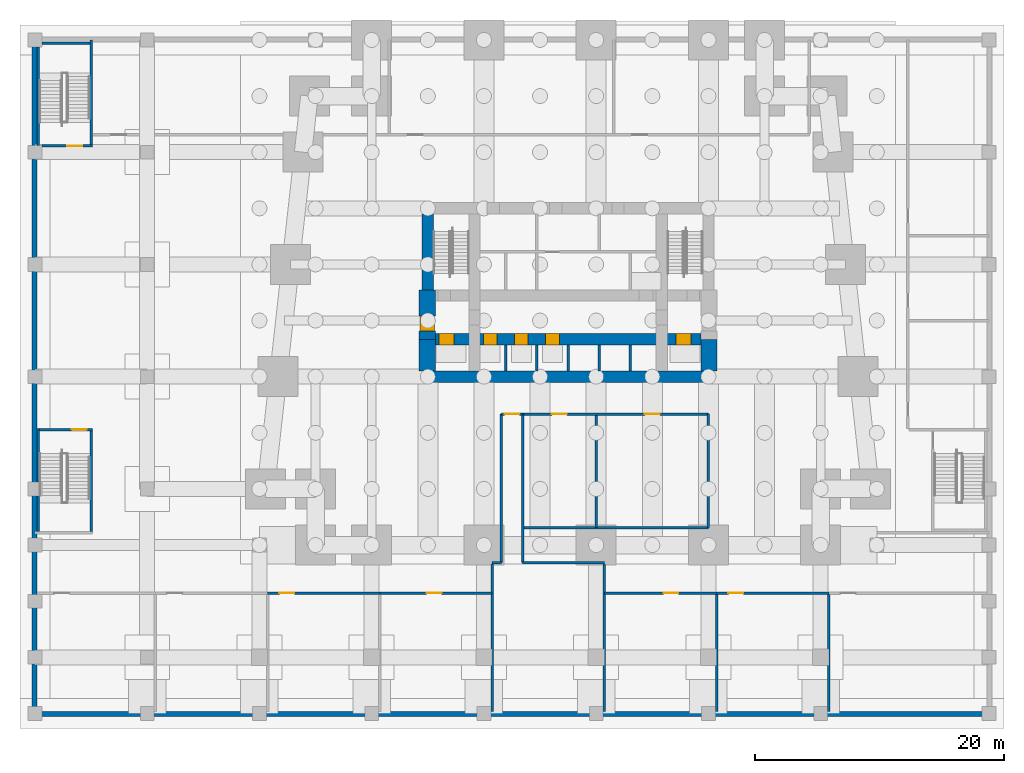
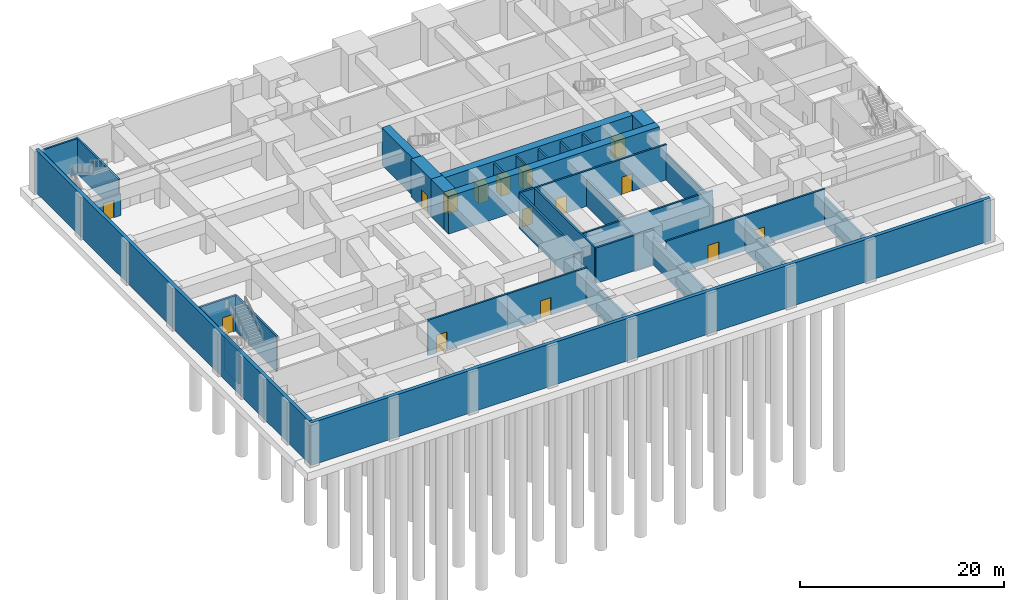
# One storey, part 3 of 9: 38 walls, 15 doors, 15 openings.
"""IFC4 building model written with IfcOpenShell, lengths in metres."""

from ifc_helpers import new_model, si_unit, direction, frame, frame_2d, origin, place, context, subcontext, project, spatial, rectangle, extrude, material, layer, layer_set, type_object, element, fill, save


model = new_model("IFC4")

# Units and contexts
model_context = context("Model", 3, precision=1e-05, world=origin(), true_north=direction((0.0, 1.0)))
body_context = subcontext(model_context, "Body", "Model", "MODEL_VIEW")
ifc_project = project(units=[si_unit("LENGTHUNIT", "METRE"), si_unit("AREAUNIT", "SQUARE_METRE"), si_unit("VOLUMEUNIT", "CUBIC_METRE"), si_unit("PLANEANGLEUNIT", "RADIAN"), si_unit("MASSUNIT", "GRAM", prefix="KILO")], contexts=[model_context])

# Site, building, storey
site_placement = place(None, origin())
site = spatial("IfcSite", under=ifc_project, at=site_placement, CompositionType="ELEMENT")
building_placement = place(site_placement, origin())
building = spatial("IfcBuilding", under=site, at=building_placement, Name="Kilele Tower Hotel", CompositionType="ELEMENT")
storey_placement = place(building_placement, frame((0.0, 0.0, -9.0)))
storey = spatial("IfcBuildingStorey", under=building, at=storey_placement, Name="B2", CompositionType="ELEMENT", Elevation=-9.0)

# Walls
ifc_material_1 = material(Name="Concrete C70/85", Category="concrete")
ifc_layer_1 = layer(ifc_material_1, 0.39990234375)
ifc_layer_set_1 = layer_set([ifc_layer_1], Name="Concrete C70/85")
wall_type_1 = type_object("IfcWallType", Name="Basement retaining wall 400", PredefinedType="SOLIDWALL", material=ifc_layer_set_1)
wall_1_placement = place(storey_placement, frame((-18.25, -13.550048828125, -0.60009765625), z_axis=(0.0, 0.0, 1.0), x_axis=(1.0, 0.0, 0.0)))
element("IfcWall", 1, at=wall_1_placement, inside=storey, type_object=wall_type_1, Name="Retaining wall B2 S", PredefinedType="SOLIDWALL", context=body_context, shape_type="SweptSolid", body=[
    extrude(rectangle(XDim=77.0, YDim=0.39990234375, at=frame_2d((38.5, 0.0))), origin(), (0.0, 0.0, 1.0), 5.10009765625),
])
wall_2_placement = place(storey_placement, frame((-18.050048828125, 40.35009765625, -0.60009765625), z_axis=(0.0, 0.0, 1.0), x_axis=(0.0, -1.0, 0.0)))
element("IfcWall", 2, at=wall_2_placement, inside=storey, type_object=wall_type_1, Name="Retaining wall B2 W", PredefinedType="SOLIDWALL", context=body_context, shape_type="SweptSolid", body=[
    extrude(rectangle(XDim=53.7001953125, YDim=0.39990234375, at=frame_2d((26.85009765625, 0.0))), origin(), (0.0, 0.0, 1.0), 5.10009765625),
])

# Wall, opening, door
ifc_material_2 = material(Name="Concrete C60/75", Category="concrete")
ifc_layer_2 = layer(ifc_material_2, 1.300048828125)
ifc_layer_set_2 = layer_set([ifc_layer_2], Name="Concrete C60/75")
wall_type_2 = type_object("IfcWallType", Name="Core wall 1300 C60/75", PredefinedType="SHEAR", material=ifc_layer_set_2)
wall_3_placement = place(storey_placement, frame((13.449951171875, 20.449951171875, 0.0), z_axis=(0.0, 0.0, 1.0), x_axis=(0.0, -1.0, 0.0)))
wall_3 = element("IfcWall", 3, at=wall_3_placement, inside=storey, type_object=wall_type_2, Name="Core wall W2 B2", PredefinedType="SHEAR", context=body_context, shape_type="SweptSolid", body=[
    extrude(rectangle(XDim=3.949951171875, YDim=1.300048828125, at=frame_2d((1.97509765625, 0.0))), origin(), (0.0, 0.0, 1.0), 4.5),
])
opening_1_placement = place(wall_3_placement, frame((2.10009765625, 0.0, 0.0)))
opening_1 = element("IfcOpeningElement", 4, at=opening_1_placement, cuts=wall_3, Name="Opening D4", PredefinedType="OPENING", context=body_context, shape_type="SweptSolid", body=[
    extrude(rectangle(XDim=1.199951171875, YDim=2.10009765625, at=frame_2d((0.60009765625, 1.050048828125))), frame((0.0, 0.659912109375, 0.0), z_axis=(0.0, -1.0, 0.0), x_axis=(1.0, 0.0, 0.0)), (0.0, 0.0, 1.0), 1.320068359375),
])
ifc_material_3 = material(Name="Timber door leaf in hardwood frame", Category="wood")
door_type_1 = type_object("IfcDoorType", Name="Firefighting lobby door 1200", OperationType="SINGLE_SWING_LEFT", PredefinedType="DOOR", material=ifc_material_3)
door_1_placement = place(opening_1_placement, origin())
door_1 = element("IfcDoor", 5, at=door_1_placement, inside=storey, type_object=door_type_1, Name="Lobby door B2", OperationType="SINGLE_SWING_RIGHT", OverallHeight=2.10009765625, OverallWidth=1.199951171875, PredefinedType="DOOR", context=body_context, shape_type="SweptSolid", body=[
    extrude(rectangle(XDim=1.199951171875, YDim=2.10009765625, at=frame_2d((0.60009765625, 1.050048828125))), frame((0.0, 0.574951171875, 0.0), z_axis=(0.0, -1.0, 0.0), x_axis=(1.0, 0.0, 0.0)), (0.0, 0.0, 1.0), 1.14990234375),
])
fill(opening_1, door_1)

# Walls
for number, where, z_axis, x_axis, name in (
    (6, (13.449951171875, 16.5, 0.0), (0.0, 0.0, 1.0), (0.0, -1.0, 0.0), "Core wall W3 B2"),
    (7, (36.050048828125, 13.949951171875, 0.0), (0.0, 0.0, 1.0), (0.0, 1.0, 0.0), "Core wall E1 B2"),
):
    element("IfcWall", number, at=place(storey_placement, frame(where, z_axis=z_axis, x_axis=x_axis)), inside=storey, type_object=wall_type_2, Name=name, PredefinedType="SHEAR", context=body_context, shape_type="SweptSolid", body=[
        extrude(rectangle(XDim=2.550048828125, YDim=1.300048828125, at=frame_2d((1.27490234375, 0.0))), origin(), (0.0, 0.0, 1.0), 4.5),
    ])
ifc_material_4 = material(Name="Concrete C60/75", Category="concrete")
ifc_layer_3 = layer(ifc_material_4, 0.89990234375)
ifc_layer_set_3 = layer_set([ifc_layer_3], Name="Concrete C60/75")
wall_type_3 = type_object("IfcWallType", Name="Core wall 900 C60/75", PredefinedType="SHEAR", material=ifc_layer_set_3)
wall_4_placement = place(storey_placement, frame((12.800048828125, 13.5, 0.0), z_axis=(0.0, 0.0, 1.0), x_axis=(1.0, 0.0, 0.0)))
element("IfcWall", 8, at=wall_4_placement, inside=storey, type_object=wall_type_3, Name="Core wall S B2", PredefinedType="SHEAR", context=body_context, shape_type="SweptSolid", body=[
    extrude(rectangle(XDim=23.89990234375, YDim=0.89990234375, at=frame_2d((11.949951171875, 0.0))), origin(), (0.0, 0.0, 1.0), 4.5),
])

# Wall, openings, doors
wall_5_placement = place(storey_placement, frame((14.10009765625, 16.5, 0.0), z_axis=(0.0, 0.0, 1.0), x_axis=(1.0, 0.0, 0.0)))
wall_5 = element("IfcWall", 9, at=wall_5_placement, inside=storey, type_object=wall_type_3, Name="Core wall LS B2", PredefinedType="SHEAR", context=body_context, shape_type="SweptSolid", body=[
    extrude(rectangle(XDim=21.2998046875, YDim=0.89990234375, at=frame_2d((10.64990234375, 0.0))), origin(), (0.0, 0.0, 1.0), 4.5),
])
opening_2_placement = place(wall_5_placement, frame((3.85009765625, 0.0, 0.0)))
opening_2 = element("IfcOpeningElement", 10, at=opening_2_placement, cuts=wall_5, Name="Opening LD1", PredefinedType="OPENING", context=body_context, shape_type="SweptSolid", body=[
    extrude(rectangle(XDim=1.10009765625, YDim=2.10009765625, at=frame_2d((0.550048828125, 1.050048828125))), frame((0.0, 0.4599609375, 0.0), z_axis=(0.0, -1.0, 0.0), x_axis=(1.0, 0.0, 0.0)), (0.0, 0.0, 1.0), 0.919921875),
])
opening_3_placement = place(wall_5_placement, frame((6.35009765625, 0.0, 0.0)))
opening_3 = element("IfcOpeningElement", 11, at=opening_3_placement, cuts=wall_5, Name="Opening LD1", PredefinedType="OPENING", context=body_context, shape_type="SweptSolid", body=[
    extrude(rectangle(XDim=1.10009765625, YDim=2.10009765625, at=frame_2d((0.550048828125, 1.050048828125))), frame((0.0, 0.4599609375, 0.0), z_axis=(0.0, -1.0, 0.0), x_axis=(1.0, 0.0, 0.0)), (0.0, 0.0, 1.0), 0.919921875),
])
opening_4_placement = place(wall_5_placement, frame((8.85009765625, 0.0, 0.0)))
opening_4 = element("IfcOpeningElement", 12, at=opening_4_placement, cuts=wall_5, Name="Opening LD1", PredefinedType="OPENING", context=body_context, shape_type="SweptSolid", body=[
    extrude(rectangle(XDim=1.10009765625, YDim=2.10009765625, at=frame_2d((0.550048828125, 1.050048828125))), frame((0.0, 0.4599609375, 0.0), z_axis=(0.0, -1.0, 0.0), x_axis=(1.0, 0.0, 0.0)), (0.0, 0.0, 1.0), 0.919921875),
])
opening_5_placement = place(wall_5_placement, frame((0.300048828125, 0.0, 0.0)))
opening_5 = element("IfcOpeningElement", 13, at=opening_5_placement, cuts=wall_5, Name="Opening LD2", PredefinedType="OPENING", context=body_context, shape_type="SweptSolid", body=[
    extrude(rectangle(XDim=1.199951171875, YDim=2.10009765625, at=frame_2d((0.60009765625, 1.050048828125))), frame((0.0, 0.4599609375, 0.0), z_axis=(0.0, -1.0, 0.0), x_axis=(1.0, 0.0, 0.0)), (0.0, 0.0, 1.0), 0.919921875),
])
opening_6_placement = place(wall_5_placement, frame((19.300048828125, 0.0, 0.0)))
opening_6 = element("IfcOpeningElement", 14, at=opening_6_placement, cuts=wall_5, Name="Opening LD2", PredefinedType="OPENING", context=body_context, shape_type="SweptSolid", body=[
    extrude(rectangle(XDim=1.199951171875, YDim=2.10009765625, at=frame_2d((0.60009765625, 1.050048828125))), frame((0.0, 0.4599609375, 0.0), z_axis=(0.0, -1.0, 0.0), x_axis=(1.0, 0.0, 0.0)), (0.0, 0.0, 1.0), 0.919921875),
])
ifc_material_5 = material(Name="Steel lift landing door", Category="steel")
door_type_2 = type_object("IfcDoorType", Name="Firefighting lift landing door 1200", OperationType="SLIDING_TO_LEFT", PredefinedType="DOOR", material=ifc_material_5)
door_2_placement = place(opening_5_placement, origin())
door_2 = element("IfcDoor", 15, at=door_2_placement, inside=storey, type_object=door_type_2, Name="Landing door FFW B2", OperationType="SLIDING_TO_LEFT", OverallHeight=2.10009765625, OverallWidth=1.199951171875, PredefinedType="DOOR", context=body_context, shape_type="SweptSolid", body=[
    extrude(rectangle(XDim=1.199951171875, YDim=2.10009765625, at=frame_2d((0.60009765625, 1.050048828125))), frame((0.0, 0.44970703125, 0.0), z_axis=(0.0, -1.0, 0.0), x_axis=(1.0, 0.0, 0.0)), (0.0, 0.0, 1.0), 0.8994140625),
])
fill(opening_5, door_2)
door_3_placement = place(opening_6_placement, origin())
door_3 = element("IfcDoor", 16, at=door_3_placement, inside=storey, type_object=door_type_2, Name="Landing door FFE B2", OperationType="SLIDING_TO_LEFT", OverallHeight=2.10009765625, OverallWidth=1.199951171875, PredefinedType="DOOR", context=body_context, shape_type="SweptSolid", body=[
    extrude(rectangle(XDim=1.199951171875, YDim=2.10009765625, at=frame_2d((0.60009765625, 1.050048828125))), frame((0.0, 0.44970703125, 0.0), z_axis=(0.0, -1.0, 0.0), x_axis=(1.0, 0.0, 0.0)), (0.0, 0.0, 1.0), 0.8994140625),
])
fill(opening_6, door_3)
ifc_material_6 = material(Name="Steel lift landing door", Category="steel")
door_type_3 = type_object("IfcDoorType", Name="Lift landing door 1100", OperationType="SLIDING_TO_LEFT", PredefinedType="DOOR", material=ifc_material_6)
door_4_placement = place(opening_2_placement, origin())
door_4 = element("IfcDoor", 17, at=door_4_placement, inside=storey, type_object=door_type_3, Name="Landing door L1 B2", OperationType="SLIDING_TO_LEFT", OverallHeight=2.10009765625, OverallWidth=1.10009765625, PredefinedType="DOOR", context=body_context, shape_type="SweptSolid", body=[
    extrude(rectangle(XDim=1.10009765625, YDim=2.10009765625, at=frame_2d((0.550048828125, 1.050048828125))), frame((0.0, 0.44970703125, 0.0), z_axis=(0.0, -1.0, 0.0), x_axis=(1.0, 0.0, 0.0)), (0.0, 0.0, 1.0), 0.8994140625),
])
fill(opening_2, door_4)
door_5_placement = place(opening_3_placement, origin())
door_5 = element("IfcDoor", 18, at=door_5_placement, inside=storey, type_object=door_type_3, Name="Landing door L2 B2", OperationType="SLIDING_TO_LEFT", OverallHeight=2.10009765625, OverallWidth=1.10009765625, PredefinedType="DOOR", context=body_context, shape_type="SweptSolid", body=[
    extrude(rectangle(XDim=1.10009765625, YDim=2.10009765625, at=frame_2d((0.550048828125, 1.050048828125))), frame((0.0, 0.44970703125, 0.0), z_axis=(0.0, -1.0, 0.0), x_axis=(1.0, 0.0, 0.0)), (0.0, 0.0, 1.0), 0.8994140625),
])
fill(opening_3, door_5)
door_6_placement = place(opening_4_placement, origin())
door_6 = element("IfcDoor", 19, at=door_6_placement, inside=storey, type_object=door_type_3, Name="Landing door L3 B2", OperationType="SLIDING_TO_LEFT", OverallHeight=2.10009765625, OverallWidth=1.10009765625, PredefinedType="DOOR", context=body_context, shape_type="SweptSolid", body=[
    extrude(rectangle(XDim=1.10009765625, YDim=2.10009765625, at=frame_2d((0.550048828125, 1.050048828125))), frame((0.0, 0.44970703125, 0.0), z_axis=(0.0, -1.0, 0.0), x_axis=(1.0, 0.0, 0.0)), (0.0, 0.0, 1.0), 0.8994140625),
])
fill(opening_4, door_6)

# Walls
wall_6_placement = place(storey_placement, frame((13.5, 26.550048828125, 0.0), z_axis=(0.0, 0.0, 1.0), x_axis=(0.0, -1.0, 0.0)))
element("IfcWall", 20, at=wall_6_placement, inside=storey, type_object=wall_type_3, Name="Core wall W1 B2", PredefinedType="SHEAR", context=body_context, shape_type="SweptSolid", body=[
    extrude(rectangle(XDim=6.10009765625, YDim=0.89990234375, at=frame_2d((3.050048828125, 0.0))), origin(), (0.0, 0.0, 1.0), 4.5),
])
ifc_material_7 = material(Name="Blockwork, plastered both sides", Category="masonry")
ifc_layer_4 = layer(ifc_material_7, 0.199951171875)
ifc_layer_set_4 = layer_set([ifc_layer_4], Name="Blockwork, plastered both sides")
wall_type_4 = type_object("IfcWallType", Name="Partition wall 200", PredefinedType="PARTITIONING", material=ifc_layer_set_4)
for number, where, z_axis, x_axis, name in (
    (21, (36.64990234375, -13.35009765625, 0.0), (0.0, 0.0, 1.0), (0.0, 1.0, 0.0), "Partition wall 200 B2"),
    (22, (45.64990234375, -13.35009765625, 0.0), (0.0, 0.0, 1.0), (0.0, 1.0, 0.0), "Partition wall 200 B2"),
):
    element("IfcWall", number, at=place(storey_placement, frame(where, z_axis=z_axis, x_axis=x_axis)), inside=storey, type_object=wall_type_4, Name=name, PredefinedType="PARTITIONING", context=body_context, shape_type="SweptSolid", body=[
        extrude(rectangle(XDim=9.400146484375, YDim=0.199951171875, at=frame_2d((4.7001953125, 0.0))), origin(), (0.0, 0.0, 1.0), 3.300048828125),
    ])
for number, where, z_axis, x_axis, name in (
    (23, (18.64990234375, -13.35009765625, 0.0), (0.0, 0.0, 1.0), (0.0, 1.0, 0.0), "Partition wall 200 B2"),
    (24, (27.64990234375, -13.35009765625, 0.0), (0.0, 0.0, 1.0), (0.0, 1.0, 0.0), "Partition wall 200 B2"),
):
    element("IfcWall", number, at=place(storey_placement, frame(where, z_axis=z_axis, x_axis=x_axis)), inside=storey, type_object=wall_type_4, Name=name, PredefinedType="PARTITIONING", context=body_context, shape_type="SweptSolid", body=[
        extrude(rectangle(XDim=11.85009765625, YDim=0.199951171875, at=frame_2d((5.925048828125, 0.0))), origin(), (0.0, 0.0, 1.0), 3.300048828125),
    ])

# Wall, opening, door
wall_7_placement = place(storey_placement, frame((0.64990234375, -3.85009765625, 0.0), z_axis=(0.0, 0.0, 1.0), x_axis=(1.0, 0.0, 0.0)))
wall_7 = element("IfcWall", 25, at=wall_7_placement, inside=storey, type_object=wall_type_4, Name="Partition wall 200 B2", PredefinedType="PARTITIONING", context=body_context, shape_type="SweptSolid", body=[
    extrude(rectangle(XDim=9.0, YDim=0.199951171875, at=frame_2d((4.5, 0.0))), origin(), (0.0, 0.0, 1.0), 4.25),
])
opening_7_placement = place(wall_7_placement, frame((2.14990234375, 0.0, 0.0), z_axis=(0.0, 0.0, 1.0), x_axis=(-1.0, 0.0, 0.0)))
opening_7 = element("IfcOpeningElement", 26, at=opening_7_placement, cuts=wall_7, Name="Opening D7A", PredefinedType="OPENING", context=body_context, shape_type="SweptSolid", body=[
    extrude(rectangle(XDim=1.199951171875, YDim=2.10009765625, at=frame_2d((0.60009765625, 1.050048828125))), frame((0.0, 0.10986328125, 0.0), z_axis=(0.0, -1.0, 0.0), x_axis=(1.0, 0.0, 0.0)), (0.0, 0.0, 1.0), 0.219970703125),
])
ifc_material_8 = material(Name="Timber door leaf in hardwood frame", Category="wood")
door_type_4 = type_object("IfcDoorType", Name="Plant room door 1200", OperationType="SINGLE_SWING_LEFT", PredefinedType="DOOR", material=ifc_material_8)
door_7_placement = place(opening_7_placement, origin())
door_7 = element("IfcDoor", 27, at=door_7_placement, inside=storey, type_object=door_type_4, Name="Door Chilled water pump room", OperationType="SINGLE_SWING_RIGHT", OverallHeight=2.10009765625, OverallWidth=1.199951171875, PredefinedType="DOOR", context=body_context, shape_type="SweptSolid", body=[
    extrude(rectangle(XDim=1.199951171875, YDim=2.10009765625, at=frame_2d((0.60009765625, 1.050048828125))), frame((0.0, 0.02490234375, 0.0), z_axis=(0.0, -1.0, 0.0), x_axis=(1.0, 0.0, 0.0)), (0.0, 0.0, 1.0), 0.050048828125),
])
fill(opening_7, door_7)

wall_8_placement = place(storey_placement, frame((9.64990234375, -3.85009765625, 0.0), z_axis=(0.0, 0.0, 1.0), x_axis=(1.0, 0.0, 0.0)))
wall_8 = element("IfcWall", 28, at=wall_8_placement, inside=storey, type_object=wall_type_4, Name="Partition wall 200 B2", PredefinedType="PARTITIONING", context=body_context, shape_type="SweptSolid", body=[
    extrude(rectangle(XDim=9.0, YDim=0.199951171875, at=frame_2d((4.5, 0.0))), origin(), (0.0, 0.0, 1.0), 4.25),
])
opening_8_placement = place(wall_8_placement, frame((3.75, 0.0, 0.0)))
opening_8 = element("IfcOpeningElement", 29, at=opening_8_placement, cuts=wall_8, Name="Opening D7A", PredefinedType="OPENING", context=body_context, shape_type="SweptSolid", body=[
    extrude(rectangle(XDim=1.199951171875, YDim=2.10009765625, at=frame_2d((0.60009765625, 1.050048828125))), frame((0.0, 0.10986328125, 0.0), z_axis=(0.0, -1.0, 0.0), x_axis=(1.0, 0.0, 0.0)), (0.0, 0.0, 1.0), 0.219970703125),
])
door_8_placement = place(opening_8_placement, origin())
door_8 = element("IfcDoor", 30, at=door_8_placement, inside=storey, type_object=door_type_4, Name="Door Condenser water pump room", OperationType="SINGLE_SWING_LEFT", OverallHeight=2.10009765625, OverallWidth=1.199951171875, PredefinedType="DOOR", context=body_context, shape_type="SweptSolid", body=[
    extrude(rectangle(XDim=1.199951171875, YDim=2.10009765625, at=frame_2d((0.60009765625, 1.050048828125))), frame((0.0, 0.02490234375, 0.0), z_axis=(0.0, -1.0, 0.0), x_axis=(1.0, 0.0, 0.0)), (0.0, 0.0, 1.0), 0.050048828125),
])
fill(opening_8, door_8)

# Walls
wall_9_placement = place(storey_placement, frame((18.64990234375, -1.39990234375, 0.0), z_axis=(0.0, 0.0, 1.0), x_axis=(1.0, 0.0, 0.0)))
element("IfcWall", 31, at=wall_9_placement, inside=storey, type_object=wall_type_4, Name="Partition wall 200 B2", PredefinedType="PARTITIONING", context=body_context, shape_type="SweptSolid", body=[
    extrude(rectangle(XDim=0.75, YDim=0.199951171875, at=frame_2d((0.375, 0.0))), origin(), (0.0, 0.0, 1.0), 4.25),
])
wall_10_placement = place(storey_placement, frame((21.10009765625, -1.39990234375, 0.0), z_axis=(0.0, 0.0, 1.0), x_axis=(1.0, 0.0, 0.0)))
element("IfcWall", 32, at=wall_10_placement, inside=storey, type_object=wall_type_4, Name="Partition wall 200 B2", PredefinedType="PARTITIONING", context=body_context, shape_type="SweptSolid", body=[
    extrude(rectangle(XDim=6.5498046875, YDim=0.199951171875, at=frame_2d((3.27490234375, 0.0))), origin(), (0.0, 0.0, 1.0), 4.25),
])

# Wall, opening, door
wall_11_placement = place(storey_placement, frame((27.64990234375, -3.85009765625, 0.0), z_axis=(0.0, 0.0, 1.0), x_axis=(1.0, 0.0, 0.0)))
wall_11 = element("IfcWall", 33, at=wall_11_placement, inside=storey, type_object=wall_type_4, Name="Partition wall 200 B2", PredefinedType="PARTITIONING", context=body_context, shape_type="SweptSolid", body=[
    extrude(rectangle(XDim=9.0, YDim=0.199951171875, at=frame_2d((4.5, 0.0))), origin(), (0.0, 0.0, 1.0), 4.25),
])
opening_9_placement = place(wall_11_placement, frame((4.75, 0.0, 0.0)))
opening_9 = element("IfcOpeningElement", 34, at=opening_9_placement, cuts=wall_11, Name="Opening D7A", PredefinedType="OPENING", context=body_context, shape_type="SweptSolid", body=[
    extrude(rectangle(XDim=1.199951171875, YDim=2.10009765625, at=frame_2d((0.60009765625, 1.050048828125))), frame((0.0, 0.10986328125, 0.0), z_axis=(0.0, -1.0, 0.0), x_axis=(1.0, 0.0, 0.0)), (0.0, 0.0, 1.0), 0.219970703125),
])
door_9_placement = place(opening_9_placement, origin())
door_9 = element("IfcDoor", 35, at=door_9_placement, inside=storey, type_object=door_type_4, Name="Door Domestic water treatment room", OperationType="SINGLE_SWING_RIGHT", OverallHeight=2.10009765625, OverallWidth=1.199951171875, PredefinedType="DOOR", context=body_context, shape_type="SweptSolid", body=[
    extrude(rectangle(XDim=1.199951171875, YDim=2.10009765625, at=frame_2d((0.60009765625, 1.050048828125))), frame((0.0, 0.02490234375, 0.0), z_axis=(0.0, -1.0, 0.0), x_axis=(1.0, 0.0, 0.0)), (0.0, 0.0, 1.0), 0.050048828125),
])
fill(opening_9, door_9)

wall_12_placement = place(storey_placement, frame((36.64990234375, -3.85009765625, 0.0), z_axis=(0.0, 0.0, 1.0), x_axis=(1.0, 0.0, 0.0)))
wall_12 = element("IfcWall", 36, at=wall_12_placement, inside=storey, type_object=wall_type_4, Name="Partition wall 200 B2", PredefinedType="PARTITIONING", context=body_context, shape_type="SweptSolid", body=[
    extrude(rectangle(XDim=9.0, YDim=0.199951171875, at=frame_2d((4.5, 0.0))), origin(), (0.0, 0.0, 1.0), 4.25),
])
opening_10_placement = place(wall_12_placement, frame((2.14990234375, 0.0, 0.0), z_axis=(0.0, 0.0, 1.0), x_axis=(-1.0, 0.0, 0.0)))
opening_10 = element("IfcOpeningElement", 37, at=opening_10_placement, cuts=wall_12, Name="Opening D7A", PredefinedType="OPENING", context=body_context, shape_type="SweptSolid", body=[
    extrude(rectangle(XDim=1.199951171875, YDim=2.10009765625, at=frame_2d((0.60009765625, 1.050048828125))), frame((0.0, 0.10986328125, 0.0), z_axis=(0.0, -1.0, 0.0), x_axis=(1.0, 0.0, 0.0)), (0.0, 0.0, 1.0), 0.219970703125),
])
door_10_placement = place(opening_10_placement, origin())
door_10 = element("IfcDoor", 38, at=door_10_placement, inside=storey, type_object=door_type_4, Name="Door Hot water calorifier room", OperationType="SINGLE_SWING_RIGHT", OverallHeight=2.10009765625, OverallWidth=1.199951171875, PredefinedType="DOOR", context=body_context, shape_type="SweptSolid", body=[
    extrude(rectangle(XDim=1.199951171875, YDim=2.10009765625, at=frame_2d((0.60009765625, 1.050048828125))), frame((0.0, 0.02490234375, 0.0), z_axis=(0.0, -1.0, 0.0), x_axis=(1.0, 0.0, 0.0)), (0.0, 0.0, 1.0), 0.050048828125),
])
fill(opening_10, door_10)

# Walls
for number, where, z_axis, x_axis, name in (
    (39, (19.39990234375, -1.39990234375, 0.0), (0.0, 0.0, 1.0), (0.0, 1.0, 0.0), "Partition wall 200 B2"),
    (40, (21.10009765625, -1.39990234375, 0.0), (0.0, 0.0, 1.0), (0.0, 1.0, 0.0), "Partition wall 200 B2"),
):
    element("IfcWall", number, at=place(storey_placement, frame(where, z_axis=z_axis, x_axis=x_axis)), inside=storey, type_object=wall_type_4, Name=name, PredefinedType="PARTITIONING", context=body_context, shape_type="SweptSolid", body=[
        extrude(rectangle(XDim=11.89990234375, YDim=0.199951171875, at=frame_2d((5.949951171875, 0.0))), origin(), (0.0, 0.0, 1.0), 4.25),
    ])
wall_13_placement = place(storey_placement, frame((27.0, 1.39990234375, 0.0), z_axis=(0.0, 0.0, 1.0), x_axis=(0.0, 1.0, 0.0)))
element("IfcWall", 41, at=wall_13_placement, inside=storey, type_object=wall_type_4, Name="Partition wall 200 B2", PredefinedType="PARTITIONING", context=body_context, shape_type="SweptSolid", body=[
    extrude(rectangle(XDim=9.0, YDim=0.199951171875, at=frame_2d((4.5, 0.0))), origin(), (0.0, 0.0, 1.0), 3.199951171875),
])
wall_14_placement = place(storey_placement, frame((36.0, 1.39990234375, 0.0), z_axis=(0.0, 0.0, 1.0), x_axis=(0.0, 1.0, 0.0)))
element("IfcWall", 42, at=wall_14_placement, inside=storey, type_object=wall_type_4, Name="Partition wall 200 B2", PredefinedType="PARTITIONING", context=body_context, shape_type="SweptSolid", body=[
    extrude(rectangle(XDim=9.10009765625, YDim=0.199951171875, at=frame_2d((4.550048828125, 0.0))), origin(), (0.0, 0.0, 1.0), 3.199951171875),
])
wall_15_placement = place(storey_placement, frame((21.10009765625, 1.39990234375, 0.0), z_axis=(0.0, 0.0, 1.0), x_axis=(1.0, 0.0, 0.0)))
element("IfcWall", 43, at=wall_15_placement, inside=storey, type_object=wall_type_4, Name="Partition wall 200 B2", PredefinedType="PARTITIONING", context=body_context, shape_type="SweptSolid", body=[
    extrude(rectangle(XDim=14.89990234375, YDim=0.199951171875, at=frame_2d((7.449951171875, 0.0))), origin(), (0.0, 0.0, 1.0), 4.25),
])

# Wall, openings, doors
wall_16_placement = place(storey_placement, frame((21.10009765625, 10.5, 0.0), z_axis=(0.0, 0.0, 1.0), x_axis=(1.0, 0.0, 0.0)))
wall_16 = element("IfcWall", 44, at=wall_16_placement, inside=storey, type_object=wall_type_4, Name="Partition wall 200 B2", PredefinedType="PARTITIONING", context=body_context, shape_type="SweptSolid", body=[
    extrude(rectangle(XDim=14.89990234375, YDim=0.199951171875, at=frame_2d((7.449951171875, 0.0))), origin(), (0.0, 0.0, 1.0), 4.25),
])
opening_11_placement = place(wall_16_placement, frame((2.35009765625, 0.0, 0.0)))
opening_11 = element("IfcOpeningElement", 45, at=opening_11_placement, cuts=wall_16, Name="Opening D7A", PredefinedType="OPENING", context=body_context, shape_type="SweptSolid", body=[
    extrude(rectangle(XDim=1.199951171875, YDim=2.10009765625, at=frame_2d((0.60009765625, 1.050048828125))), frame((0.0, 0.10986328125, 0.0), z_axis=(0.0, -1.0, 0.0), x_axis=(1.0, 0.0, 0.0)), (0.0, 0.0, 1.0), 0.219970703125),
])
opening_12_placement = place(wall_16_placement, frame((9.800048828125, 0.0, 0.0)))
opening_12 = element("IfcOpeningElement", 46, at=opening_12_placement, cuts=wall_16, Name="Opening D7A", PredefinedType="OPENING", context=body_context, shape_type="SweptSolid", body=[
    extrude(rectangle(XDim=1.199951171875, YDim=2.10009765625, at=frame_2d((0.60009765625, 1.050048828125))), frame((0.0, 0.10986328125, 0.0), z_axis=(0.0, -1.0, 0.0), x_axis=(1.0, 0.0, 0.0)), (0.0, 0.0, 1.0), 0.219970703125),
])
door_11_placement = place(opening_11_placement, origin())
door_11 = element("IfcDoor", 47, at=door_11_placement, inside=storey, type_object=door_type_4, Name="Door Heat recovery plant room", OperationType="SINGLE_SWING_LEFT", OverallHeight=2.10009765625, OverallWidth=1.199951171875, PredefinedType="DOOR", context=body_context, shape_type="SweptSolid", body=[
    extrude(rectangle(XDim=1.199951171875, YDim=2.10009765625, at=frame_2d((0.60009765625, 1.050048828125))), frame((0.0, 0.02490234375, 0.0), z_axis=(0.0, -1.0, 0.0), x_axis=(1.0, 0.0, 0.0)), (0.0, 0.0, 1.0), 0.050048828125),
])
fill(opening_11, door_11)
door_12_placement = place(opening_12_placement, origin())
door_12 = element("IfcDoor", 48, at=door_12_placement, inside=storey, type_object=door_type_4, Name="Door Domestic water booster pump room", OperationType="SINGLE_SWING_RIGHT", OverallHeight=2.10009765625, OverallWidth=1.199951171875, PredefinedType="DOOR", context=body_context, shape_type="SweptSolid", body=[
    extrude(rectangle(XDim=1.199951171875, YDim=2.10009765625, at=frame_2d((0.60009765625, 1.050048828125))), frame((0.0, 0.02490234375, 0.0), z_axis=(0.0, -1.0, 0.0), x_axis=(1.0, 0.0, 0.0)), (0.0, 0.0, 1.0), 0.050048828125),
])
fill(opening_12, door_12)

# Wall, opening, door
wall_17_placement = place(storey_placement, frame((19.39990234375, 10.5, 0.0), z_axis=(0.0, 0.0, 1.0), x_axis=(1.0, 0.0, 0.0)))
wall_17 = element("IfcWall", 49, at=wall_17_placement, inside=storey, type_object=wall_type_4, Name="Partition wall 200 B2", PredefinedType="PARTITIONING", context=body_context, shape_type="SweptSolid", body=[
    extrude(rectangle(XDim=1.7001953125, YDim=0.199951171875, at=frame_2d((0.85009765625, 0.0))), origin(), (0.0, 0.0, 1.0), 4.25),
])
opening_13_placement = place(wall_17_placement, frame((1.449951171875, 0.0, 0.0), z_axis=(0.0, 0.0, 1.0), x_axis=(-1.0, 0.0, 0.0)))
opening_13 = element("IfcOpeningElement", 50, at=opening_13_placement, cuts=wall_17, Name="Opening D7A", PredefinedType="OPENING", context=body_context, shape_type="SweptSolid", body=[
    extrude(rectangle(XDim=1.199951171875, YDim=2.10009765625, at=frame_2d((0.60009765625, 1.050048828125))), frame((0.0, 0.10986328125, 0.0), z_axis=(0.0, -1.0, 0.0), x_axis=(1.0, 0.0, 0.0)), (0.0, 0.0, 1.0), 0.219970703125),
])
door_13_placement = place(opening_13_placement, origin())
door_13 = element("IfcDoor", 51, at=door_13_placement, inside=storey, type_object=door_type_4, Name="Door Chilled water treatment room", OperationType="SINGLE_SWING_RIGHT", OverallHeight=2.10009765625, OverallWidth=1.199951171875, PredefinedType="DOOR", context=body_context, shape_type="SweptSolid", body=[
    extrude(rectangle(XDim=1.199951171875, YDim=2.10009765625, at=frame_2d((0.60009765625, 1.050048828125))), frame((0.0, 0.02490234375, 0.0), z_axis=(0.0, -1.0, 0.0), x_axis=(1.0, 0.0, 0.0)), (0.0, 0.0, 1.0), 0.050048828125),
])
fill(opening_13, door_13)

# Walls
ifc_material_9 = material(Name="Blockwork, fire-rated", Category="masonry")
ifc_layer_5 = layer(ifc_material_9, 0.199951171875)
ifc_layer_set_5 = layer_set([ifc_layer_5], Name="Blockwork, fire-rated")
wall_type_5 = type_object("IfcWallType", Name="Shaft wall 200", PredefinedType="PARTITIONING", material=ifc_layer_set_5)
for number, where, z_axis, x_axis, name in (
    (52, (19.75, 13.949951171875, 0.0), (0.0, 0.0, 1.0), (0.0, 1.0, 0.0), "Shaft wall 200 B2"),
    (53, (22.25, 13.949951171875, 0.0), (0.0, 0.0, 1.0), (0.0, 1.0, 0.0), "Shaft wall 200 B2"),
    (54, (24.75, 13.949951171875, 0.0), (0.0, 0.0, 1.0), (0.0, 1.0, 0.0), "Shaft wall 200 B2"),
    (55, (27.25, 13.949951171875, 0.0), (0.0, 0.0, 1.0), (0.0, 1.0, 0.0), "Shaft wall 200 B2"),
    (56, (29.75, 13.949951171875, 0.0), (0.0, 0.0, 1.0), (0.0, 1.0, 0.0), "Shaft wall 200 B2"),
):
    element("IfcWall", number, at=place(storey_placement, frame(where, z_axis=z_axis, x_axis=x_axis)), inside=storey, type_object=wall_type_5, Name=name, PredefinedType="PARTITIONING", context=body_context, shape_type="SweptSolid", body=[
        extrude(rectangle(XDim=2.10009765625, YDim=0.199951171875, at=frame_2d((1.050048828125, 0.0))), origin(), (0.0, 0.0, 1.0), 4.25),
    ])

# Wall, opening, door
ifc_material_10 = material(Name="Concrete C40/50", Category="concrete")
ifc_layer_6 = layer(ifc_material_10, 0.199951171875)
ifc_layer_set_6 = layer_set([ifc_layer_6], Name="Concrete C40/50")
wall_type_6 = type_object("IfcWallType", Name="Stair wall RC 200 C40/50", PredefinedType="SOLIDWALL", material=ifc_layer_set_6)
wall_18_placement = place(storey_placement, frame((-17.449951171875, 32.0, 0.0), z_axis=(0.0, 0.0, 1.0), x_axis=(1.0, 0.0, 0.0)))
wall_18 = element("IfcWall", 57, at=wall_18_placement, inside=storey, type_object=wall_type_6, Name="Stair wall RC 200 C40/50 B2", PredefinedType="SOLIDWALL", context=body_context, shape_type="SweptSolid", body=[
    extrude(rectangle(XDim=4.050048828125, YDim=0.199951171875, at=frame_2d((2.02490234375, 0.0))), origin(), (0.0, 0.0, 1.0), 2.60009765625),
])
opening_14_placement = place(wall_18_placement, frame((2.050048828125, 0.0, 0.0)))
opening_14 = element("IfcOpeningElement", 58, at=opening_14_placement, cuts=wall_18, Name="Opening D5A", PredefinedType="OPENING", context=body_context, shape_type="SweptSolid", body=[
    extrude(rectangle(XDim=1.199951171875, YDim=2.10009765625, at=frame_2d((0.60009765625, 1.050048828125))), frame((0.0, 0.10986328125, 0.0), z_axis=(0.0, -1.0, 0.0), x_axis=(1.0, 0.0, 0.0)), (0.0, 0.0, 1.0), 0.219970703125),
])
ifc_material_11 = material(Name="Timber door leaf in hardwood frame", Category="wood")
door_type_5 = type_object("IfcDoorType", Name="Stair door 1200", OperationType="SINGLE_SWING_LEFT", PredefinedType="DOOR", material=ifc_material_11)
door_14_placement = place(opening_14_placement, origin())
door_14 = element("IfcDoor", 59, at=door_14_placement, inside=storey, type_object=door_type_5, Name="Stair 3 door", OperationType="SINGLE_SWING_RIGHT", OverallHeight=2.10009765625, OverallWidth=1.199951171875, PredefinedType="DOOR", context=body_context, shape_type="SweptSolid", body=[
    extrude(rectangle(XDim=1.199951171875, YDim=2.10009765625, at=frame_2d((0.60009765625, 1.050048828125))), frame((0.0, 0.02490234375, 0.0), z_axis=(0.0, -1.0, 0.0), x_axis=(1.0, 0.0, 0.0)), (0.0, 0.0, 1.0), 0.050048828125),
])
fill(opening_14, door_14)

# Wall
wall_19_placement = place(storey_placement, frame((-13.5, 32.10009765625, 0.0), z_axis=(0.0, 0.0, 1.0), x_axis=(0.0, 1.0, 0.0)))
element("IfcWall", 60, at=wall_19_placement, inside=storey, type_object=wall_type_6, Name="Stair wall RC 200 C40/50 B2", PredefinedType="SOLIDWALL", context=body_context, shape_type="SweptSolid", body=[
    extrude(rectangle(XDim=8.39990234375, YDim=0.199951171875, at=frame_2d((4.199951171875, 0.0))), origin(), (0.0, 0.0, 1.0), 4.25),
])

# Wall, opening, door
wall_20_placement = place(storey_placement, frame((-17.64990234375, 9.25, 0.0), z_axis=(0.0, 0.0, 1.0), x_axis=(1.0, 0.0, 0.0)))
wall_20 = element("IfcWall", 61, at=wall_20_placement, inside=storey, type_object=wall_type_6, Name="Stair wall RC 200 C40/50 B2", PredefinedType="SOLIDWALL", context=body_context, shape_type="SweptSolid", body=[
    extrude(rectangle(XDim=4.25, YDim=0.199951171875, at=frame_2d((2.125, 0.0))), origin(), (0.0, 0.0, 1.0), 4.25),
])
opening_15_placement = place(wall_20_placement, frame((3.800048828125, 0.0, 0.0), z_axis=(0.0, 0.0, 1.0), x_axis=(-1.0, 0.0, 0.0)))
opening_15 = element("IfcOpeningElement", 62, at=opening_15_placement, cuts=wall_20, Name="Opening D5A", PredefinedType="OPENING", context=body_context, shape_type="SweptSolid", body=[
    extrude(rectangle(XDim=1.199951171875, YDim=2.10009765625, at=frame_2d((0.60009765625, 1.050048828125))), frame((0.0, 0.10986328125, 0.0), z_axis=(0.0, -1.0, 0.0), x_axis=(1.0, 0.0, 0.0)), (0.0, 0.0, 1.0), 0.219970703125),
])
door_15_placement = place(opening_15_placement, origin())
door_15 = element("IfcDoor", 63, at=door_15_placement, inside=storey, type_object=door_type_5, Name="Stair 4 door", OperationType="SINGLE_SWING_LEFT", OverallHeight=2.10009765625, OverallWidth=1.199951171875, PredefinedType="DOOR", context=body_context, shape_type="SweptSolid", body=[
    extrude(rectangle(XDim=1.199951171875, YDim=2.10009765625, at=frame_2d((0.60009765625, 1.050048828125))), frame((0.0, 0.02490234375, 0.0), z_axis=(0.0, -1.0, 0.0), x_axis=(1.0, 0.0, 0.0)), (0.0, 0.0, 1.0), 0.050048828125),
])
fill(opening_15, door_15)

# Walls
wall_21_placement = place(storey_placement, frame((-13.5, 1.10009765625, 0.0), z_axis=(0.0, 0.0, 1.0), x_axis=(0.0, 1.0, 0.0)))
element("IfcWall", 64, at=wall_21_placement, inside=storey, type_object=wall_type_6, Name="Stair wall RC 200 C40/50 B2", PredefinedType="SOLIDWALL", context=body_context, shape_type="SweptSolid", body=[
    extrude(rectangle(XDim=8.0498046875, YDim=0.199951171875, at=frame_2d((4.02490234375, 0.0))), origin(), (0.0, 0.0, 1.0), 4.25),
])
wall_22_placement = place(storey_placement, frame((-17.75, 32.050048828125, 0.0), z_axis=(0.0, 0.0, 1.0), x_axis=(0.0, 1.0, 0.0)))
element("IfcWall", 65, at=wall_22_placement, inside=storey, type_object=wall_type_6, Name="Stair wall RC 200 C40/50 B2", PredefinedType="SOLIDWALL", context=body_context, shape_type="SweptSolid", body=[
    extrude(rectangle(XDim=7.89990234375, YDim=0.199951171875, at=frame_2d((3.949951171875, 0.0))), origin(), (0.0, 0.0, 1.0), 4.25),
])
wall_23_placement = place(storey_placement, frame((-17.449951171875, 40.25, 0.0), z_axis=(0.0, 0.0, 1.0), x_axis=(1.0, 0.0, 0.0)))
element("IfcWall", 66, at=wall_23_placement, inside=storey, type_object=wall_type_6, Name="Stair wall RC 200 C40/50 B2", PredefinedType="SOLIDWALL", context=body_context, shape_type="SweptSolid", body=[
    extrude(rectangle(XDim=3.849853515625, YDim=0.199951171875, at=frame_2d((1.9248046875, 0.0))), origin(), (0.0, 0.0, 1.0), 4.25),
])
wall_24_placement = place(storey_placement, frame((-17.75, 1.10009765625, 0.0), z_axis=(0.0, 0.0, 1.0), x_axis=(0.0, 1.0, 0.0)))
element("IfcWall", 67, at=wall_24_placement, inside=storey, type_object=wall_type_6, Name="Stair wall RC 200 C40/50 B2", PredefinedType="SOLIDWALL", context=body_context, shape_type="SweptSolid", body=[
    extrude(rectangle(XDim=2.849853515625, YDim=0.199951171875, at=frame_2d((1.4248046875, 0.0))), origin(), (0.0, 0.0, 1.0), 4.25),
])
wall_25_placement = place(storey_placement, frame((-17.75, 5.050048828125, 0.0), z_axis=(0.0, 0.0, 1.0), x_axis=(0.0, 1.0, 0.0)))
element("IfcWall", 68, at=wall_25_placement, inside=storey, type_object=wall_type_6, Name="Stair wall RC 200 C40/50 B2", PredefinedType="SOLIDWALL", context=body_context, shape_type="SweptSolid", body=[
    extrude(rectangle(XDim=4.300048828125, YDim=0.199951171875, at=frame_2d((2.14990234375, 0.0))), origin(), (0.0, 0.0, 1.0), 4.25),
])

save(model, "model.ifc")
